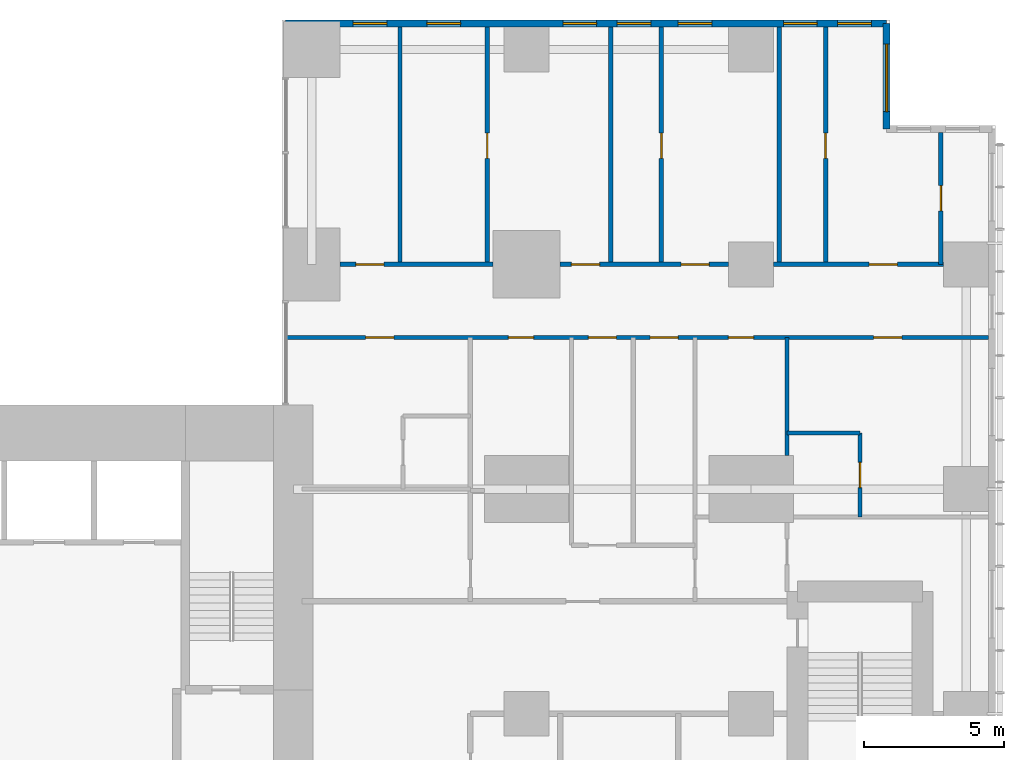
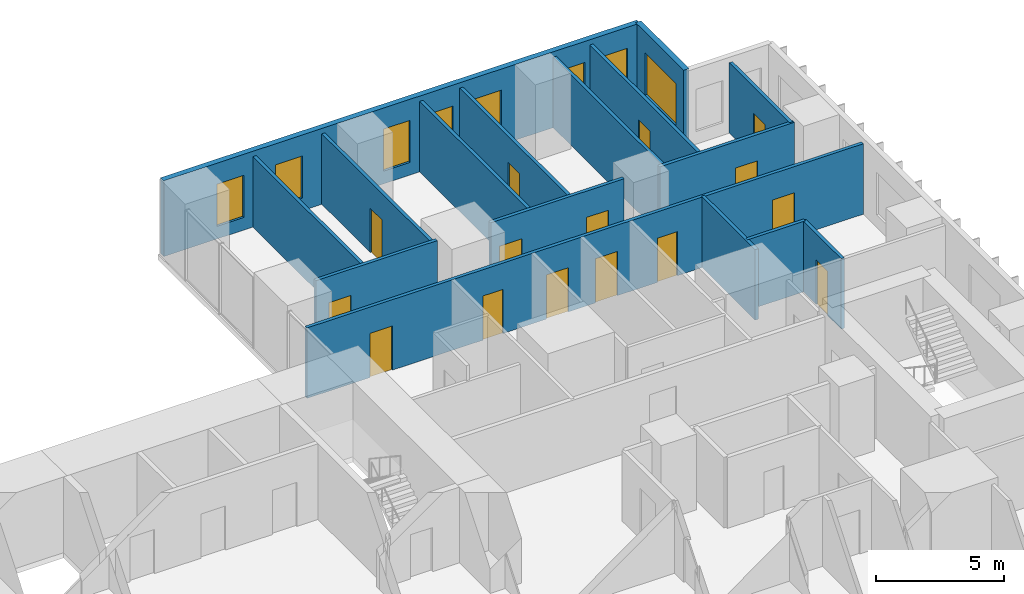
# One storey, part 10 of 12: 16 walls, 15 doors, 8 windows, 23 openings.
"""IFC4 building model written with IfcOpenShell, lengths in metres."""

from ifc_helpers import new_model, si_unit, direction, frame, frame_2d, origin, place, context, subcontext, project, spatial, rectangle, extrude, material, layer, layer_set, type_object, element, fill, save


model = new_model("IFC4")

# Units and contexts
model_context = context("Model", 3, precision=1e-05, world=origin(), true_north=direction((0.0, 1.0)))
body_context = subcontext(model_context, "Body", "Model", "MODEL_VIEW")
ifc_project = project(units=[si_unit("LENGTHUNIT", "METRE"), si_unit("AREAUNIT", "SQUARE_METRE"), si_unit("VOLUMEUNIT", "CUBIC_METRE"), si_unit("PLANEANGLEUNIT", "RADIAN"), si_unit("MASSUNIT", "GRAM", prefix="KILO")], contexts=[model_context])

# Site, building, storey
site_placement = place(None, origin())
site = spatial("IfcSite", under=ifc_project, at=site_placement, CompositionType="ELEMENT")
building_placement = place(site_placement, origin())
building = spatial("IfcBuilding", under=site, at=building_placement, Name="Cleftline Residences", CompositionType="ELEMENT")
storey_placement = place(building_placement, frame((0.0, 0.0, 237.60009765625)))
storey = spatial("IfcBuildingStorey", under=building, at=storey_placement, Name="L62", CompositionType="ELEMENT", Elevation=237.60009765625)

# Wall, opening, window
ifc_material_1 = material(Name="Rendered reinforced concrete blockwork", Category="masonry")
ifc_layer_1 = layer(ifc_material_1, 0.25)
ifc_layer_set_1 = layer_set([ifc_layer_1], Name="EXTERNAL WALL 250")
wall_type_1 = type_object("IfcWallType", Name="EXTERNAL WALL 250", PredefinedType="SOLIDWALL", material=ifc_layer_set_1)
wall_1_placement = place(storey_placement, frame((62.824951171875, 44.824951171875, 0.0), z_axis=(0.0, 0.0, 1.0), x_axis=(0.0, 1.0, 0.0)))
wall_1 = element("IfcWall", 1, at=wall_1_placement, inside=storey, type_object=wall_type_1, Name="External wall", PredefinedType="SOLIDWALL", context=body_context, shape_type="SweptSolid", body=[
    extrude(rectangle(XDim=3.75, YDim=0.25, at=frame_2d((1.875, 0.0))), origin(), (0.0, 0.0, 1.0), 3.599853515625),
])
opening_1_placement = place(wall_1_placement, frame((0.612548828125, 0.0, 0.60009765625)))
opening_1 = element("IfcOpeningElement", 2, at=opening_1_placement, cuts=wall_1, Name="Opening W6", PredefinedType="OPENING", context=body_context, shape_type="SweptSolid", body=[
    extrude(rectangle(XDim=2.39990234375, YDim=2.0, at=frame_2d((1.199951171875, 1.0))), frame((0.0, 0.135009765625, 0.0), z_axis=(0.0, -1.0, 0.0), x_axis=(1.0, 0.0, 0.0)), (0.0, 0.0, 1.0), 0.27001953125),
])
ifc_material_2 = material(Name="Aluminium frame, clear double glazing", Category="aluminium")
window_type_1 = type_object("IfcWindowType", Name="WINDOW 2400X2000", PartitioningType="DOUBLE_PANEL_VERTICAL", PredefinedType="WINDOW", material=ifc_material_2)
window_1_placement = place(opening_1_placement, origin())
window_1 = element("IfcWindow", 3, at=window_1_placement, inside=storey, type_object=window_type_1, Name="Window", OverallHeight=2.0, OverallWidth=2.39990234375, PartitioningType="SINGLE_PANEL", PredefinedType="WINDOW", context=body_context, shape_type="SweptSolid", body=[
    extrude(rectangle(XDim=2.39990234375, YDim=2.0, at=frame_2d((1.199951171875, 1.0))), frame((0.0, 0.030029296875, 0.0), z_axis=(0.0, -1.0, 0.0), x_axis=(1.0, 0.0, 0.0)), (0.0, 0.0, 1.0), 0.06005859375),
])
fill(opening_1, window_1)

# Wall, openings, windows
wall_2_placement = place(storey_placement, frame((62.824951171875, 48.574951171875, 0.0), z_axis=(0.0, 0.0, 1.0), x_axis=(-1.0, 0.0, 0.0)))
wall_2 = element("IfcWall", 4, at=wall_2_placement, inside=storey, type_object=wall_type_1, Name="External wall", PredefinedType="SOLIDWALL", context=body_context, shape_type="SweptSolid", body=[
    extrude(rectangle(XDim=21.39990234375, YDim=0.25, at=frame_2d((10.699951171875, 0.0))), origin(), (0.0, 0.0, 1.0), 3.599853515625),
])
opening_2_placement = place(wall_2_placement, frame((0.550048828125, 0.0, 0.60009765625)))
opening_2 = element("IfcOpeningElement", 5, at=opening_2_placement, cuts=wall_2, Name="Opening W8", PredefinedType="OPENING", context=body_context, shape_type="SweptSolid", body=[
    extrude(rectangle(XDim=1.199951171875, YDim=2.0, at=frame_2d((0.60009765625, 1.0))), frame((0.0, 0.135009765625, 0.0), z_axis=(0.0, -1.0, 0.0), x_axis=(1.0, 0.0, 0.0)), (0.0, 0.0, 1.0), 0.27001953125),
])
opening_3_placement = place(wall_2_placement, frame((2.47509765625, 0.0, 0.60009765625)))
opening_3 = element("IfcOpeningElement", 6, at=opening_3_placement, cuts=wall_2, Name="Opening W8", PredefinedType="OPENING", context=body_context, shape_type="SweptSolid", body=[
    extrude(rectangle(XDim=1.199951171875, YDim=2.0, at=frame_2d((0.60009765625, 1.0))), frame((0.0, 0.135009765625, 0.0), z_axis=(0.0, -1.0, 0.0), x_axis=(1.0, 0.0, 0.0)), (0.0, 0.0, 1.0), 0.27001953125),
])
opening_4_placement = place(wall_2_placement, frame((6.22509765625, 0.0, 0.60009765625)))
opening_4 = element("IfcOpeningElement", 7, at=opening_4_placement, cuts=wall_2, Name="Opening W8", PredefinedType="OPENING", context=body_context, shape_type="SweptSolid", body=[
    extrude(rectangle(XDim=1.199951171875, YDim=2.0, at=frame_2d((0.60009765625, 1.0))), frame((0.0, 0.135009765625, 0.0), z_axis=(0.0, -1.0, 0.0), x_axis=(1.0, 0.0, 0.0)), (0.0, 0.0, 1.0), 0.27001953125),
])
opening_5_placement = place(wall_2_placement, frame((8.39990234375, 0.0, 0.60009765625)))
opening_5 = element("IfcOpeningElement", 8, at=opening_5_placement, cuts=wall_2, Name="Opening W8", PredefinedType="OPENING", context=body_context, shape_type="SweptSolid", body=[
    extrude(rectangle(XDim=1.199951171875, YDim=2.0, at=frame_2d((0.60009765625, 1.0))), frame((0.0, 0.135009765625, 0.0), z_axis=(0.0, -1.0, 0.0), x_axis=(1.0, 0.0, 0.0)), (0.0, 0.0, 1.0), 0.27001953125),
])
opening_6_placement = place(wall_2_placement, frame((10.324951171875, 0.0, 0.60009765625)))
opening_6 = element("IfcOpeningElement", 9, at=opening_6_placement, cuts=wall_2, Name="Opening W8", PredefinedType="OPENING", context=body_context, shape_type="SweptSolid", body=[
    extrude(rectangle(XDim=1.199951171875, YDim=2.0, at=frame_2d((0.60009765625, 1.0))), frame((0.0, 0.135009765625, 0.0), z_axis=(0.0, -1.0, 0.0), x_axis=(1.0, 0.0, 0.0)), (0.0, 0.0, 1.0), 0.27001953125),
])
opening_7_placement = place(wall_2_placement, frame((15.175048828125, 0.0, 0.60009765625)))
opening_7 = element("IfcOpeningElement", 10, at=opening_7_placement, cuts=wall_2, Name="Opening W8", PredefinedType="OPENING", context=body_context, shape_type="SweptSolid", body=[
    extrude(rectangle(XDim=1.199951171875, YDim=2.0, at=frame_2d((0.60009765625, 1.0))), frame((0.0, 0.135009765625, 0.0), z_axis=(0.0, -1.0, 0.0), x_axis=(1.0, 0.0, 0.0)), (0.0, 0.0, 1.0), 0.27001953125),
])
opening_8_placement = place(wall_2_placement, frame((17.800048828125, 0.0, 0.60009765625)))
opening_8 = element("IfcOpeningElement", 11, at=opening_8_placement, cuts=wall_2, Name="Opening W8", PredefinedType="OPENING", context=body_context, shape_type="SweptSolid", body=[
    extrude(rectangle(XDim=1.199951171875, YDim=2.0, at=frame_2d((0.60009765625, 1.0))), frame((0.0, 0.135009765625, 0.0), z_axis=(0.0, -1.0, 0.0), x_axis=(1.0, 0.0, 0.0)), (0.0, 0.0, 1.0), 0.27001953125),
])
ifc_material_3 = material(Name="Aluminium frame, clear double glazing", Category="aluminium")
window_type_2 = type_object("IfcWindowType", Name="WINDOW 1200X2000", PartitioningType="DOUBLE_PANEL_VERTICAL", PredefinedType="WINDOW", material=ifc_material_3)
window_2_placement = place(opening_2_placement, origin())
window_2 = element("IfcWindow", 12, at=window_2_placement, inside=storey, type_object=window_type_2, Name="Window", OverallHeight=2.0, OverallWidth=1.199951171875, PartitioningType="SINGLE_PANEL", PredefinedType="WINDOW", context=body_context, shape_type="SweptSolid", body=[
    extrude(rectangle(XDim=1.199951171875, YDim=2.0, at=frame_2d((0.60009765625, 1.0))), frame((0.0, 0.030029296875, 0.0), z_axis=(0.0, -1.0, 0.0), x_axis=(1.0, 0.0, 0.0)), (0.0, 0.0, 1.0), 0.06005859375),
])
fill(opening_2, window_2)
window_3_placement = place(opening_3_placement, origin())
window_3 = element("IfcWindow", 13, at=window_3_placement, inside=storey, type_object=window_type_2, Name="Window", OverallHeight=2.0, OverallWidth=1.199951171875, PartitioningType="SINGLE_PANEL", PredefinedType="WINDOW", context=body_context, shape_type="SweptSolid", body=[
    extrude(rectangle(XDim=1.199951171875, YDim=2.0, at=frame_2d((0.60009765625, 1.0))), frame((0.0, 0.030029296875, 0.0), z_axis=(0.0, -1.0, 0.0), x_axis=(1.0, 0.0, 0.0)), (0.0, 0.0, 1.0), 0.06005859375),
])
fill(opening_3, window_3)
window_4_placement = place(opening_4_placement, origin())
window_4 = element("IfcWindow", 14, at=window_4_placement, inside=storey, type_object=window_type_2, Name="Window", OverallHeight=2.0, OverallWidth=1.199951171875, PartitioningType="SINGLE_PANEL", PredefinedType="WINDOW", context=body_context, shape_type="SweptSolid", body=[
    extrude(rectangle(XDim=1.199951171875, YDim=2.0, at=frame_2d((0.60009765625, 1.0))), frame((0.0, 0.030029296875, 0.0), z_axis=(0.0, -1.0, 0.0), x_axis=(1.0, 0.0, 0.0)), (0.0, 0.0, 1.0), 0.06005859375),
])
fill(opening_4, window_4)
window_5_placement = place(opening_5_placement, origin())
window_5 = element("IfcWindow", 15, at=window_5_placement, inside=storey, type_object=window_type_2, Name="Window", OverallHeight=2.0, OverallWidth=1.199951171875, PartitioningType="SINGLE_PANEL", PredefinedType="WINDOW", context=body_context, shape_type="SweptSolid", body=[
    extrude(rectangle(XDim=1.199951171875, YDim=2.0, at=frame_2d((0.60009765625, 1.0))), frame((0.0, 0.030029296875, 0.0), z_axis=(0.0, -1.0, 0.0), x_axis=(1.0, 0.0, 0.0)), (0.0, 0.0, 1.0), 0.06005859375),
])
fill(opening_5, window_5)
window_6_placement = place(opening_6_placement, origin())
window_6 = element("IfcWindow", 16, at=window_6_placement, inside=storey, type_object=window_type_2, Name="Window", OverallHeight=2.0, OverallWidth=1.199951171875, PartitioningType="SINGLE_PANEL", PredefinedType="WINDOW", context=body_context, shape_type="SweptSolid", body=[
    extrude(rectangle(XDim=1.199951171875, YDim=2.0, at=frame_2d((0.60009765625, 1.0))), frame((0.0, 0.030029296875, 0.0), z_axis=(0.0, -1.0, 0.0), x_axis=(1.0, 0.0, 0.0)), (0.0, 0.0, 1.0), 0.06005859375),
])
fill(opening_6, window_6)
window_7_placement = place(opening_7_placement, origin())
window_7 = element("IfcWindow", 17, at=window_7_placement, inside=storey, type_object=window_type_2, Name="Window", OverallHeight=2.0, OverallWidth=1.199951171875, PartitioningType="SINGLE_PANEL", PredefinedType="WINDOW", context=body_context, shape_type="SweptSolid", body=[
    extrude(rectangle(XDim=1.199951171875, YDim=2.0, at=frame_2d((0.60009765625, 1.0))), frame((0.0, 0.030029296875, 0.0), z_axis=(0.0, -1.0, 0.0), x_axis=(1.0, 0.0, 0.0)), (0.0, 0.0, 1.0), 0.06005859375),
])
fill(opening_7, window_7)
window_8_placement = place(opening_8_placement, origin())
window_8 = element("IfcWindow", 18, at=window_8_placement, inside=storey, type_object=window_type_2, Name="Window", OverallHeight=2.0, OverallWidth=1.199951171875, PartitioningType="SINGLE_PANEL", PredefinedType="WINDOW", context=body_context, shape_type="SweptSolid", body=[
    extrude(rectangle(XDim=1.199951171875, YDim=2.0, at=frame_2d((0.60009765625, 1.0))), frame((0.0, 0.030029296875, 0.0), z_axis=(0.0, -1.0, 0.0), x_axis=(1.0, 0.0, 0.0)), (0.0, 0.0, 1.0), 0.06005859375),
])
fill(opening_8, window_8)

# Wall
ifc_material_4 = material(Name="Gypsum board on steel studs", Category="steel")
ifc_layer_2 = layer(ifc_material_4, 0.14990234375)
ifc_layer_set_2 = layer_set([ifc_layer_2], Name="PARTITION 150")
wall_type_2 = type_object("IfcWallType", Name="PARTITION 150", PredefinedType="PARTITIONING", material=ifc_layer_set_2)
wall_3_placement = place(storey_placement, frame((59.27490234375, 34.0, 0.0), z_axis=(0.0, 0.0, 1.0), x_axis=(1.0, 0.0, 0.0)))
element("IfcWall", 19, at=wall_3_placement, inside=storey, type_object=wall_type_2, Name="Partition", PredefinedType="PARTITIONING", context=body_context, shape_type="SweptSolid", body=[
    extrude(rectangle(XDim=2.60009765625, YDim=0.14990234375, at=frame_2d((1.300048828125, 0.0))), origin(), (0.0, 0.0, 1.0), 3.349853515625),
])

# Wall, openings, doors
wall_4_placement = place(storey_placement, frame((41.43896484375, 37.39990234375, 0.0), z_axis=(0.0, 0.0, 1.0), x_axis=(1.0, 0.0, 0.0)))
wall_4 = element("IfcWall", 20, at=wall_4_placement, inside=storey, type_object=wall_type_2, Name="Partition", PredefinedType="PARTITIONING", context=body_context, shape_type="SweptSolid", body=[
    extrude(rectangle(XDim=25.010986328125, YDim=0.14990234375, at=frame_2d((12.50537109375, 0.0))), origin(), (0.0, 0.0, 1.0), 3.349853515625),
])
opening_9_placement = place(wall_4_placement, frame((10.760986328125, 0.0, 0.0)))
opening_9 = element("IfcOpeningElement", 21, at=opening_9_placement, cuts=wall_4, Name="Opening D2", PredefinedType="OPENING", context=body_context, shape_type="SweptSolid", body=[
    extrude(rectangle(XDim=1.0, YDim=2.10009765625, at=frame_2d((0.5, 1.050048828125))), frame((0.0, 0.0849609375, 0.0), z_axis=(0.0, -1.0, 0.0), x_axis=(1.0, 0.0, 0.0)), (0.0, 0.0, 1.0), 0.169921875),
])
opening_10_placement = place(wall_4_placement, frame((20.923583984375, 0.0, 0.0)))
opening_10 = element("IfcOpeningElement", 22, at=opening_10_placement, cuts=wall_4, Name="Opening D2", PredefinedType="OPENING", context=body_context, shape_type="SweptSolid", body=[
    extrude(rectangle(XDim=1.0, YDim=2.10009765625, at=frame_2d((0.5, 1.050048828125))), frame((0.0, 0.0849609375, 0.0), z_axis=(0.0, -1.0, 0.0), x_axis=(1.0, 0.0, 0.0)), (0.0, 0.0, 1.0), 0.169921875),
])
opening_11_placement = place(wall_4_placement, frame((15.74853515625, 0.0, 0.0)))
opening_11 = element("IfcOpeningElement", 23, at=opening_11_placement, cuts=wall_4, Name="Opening D1", PredefinedType="OPENING", context=body_context, shape_type="SweptSolid", body=[
    extrude(rectangle(XDim=0.89990234375, YDim=2.10009765625, at=frame_2d((0.449951171875, 1.050048828125))), frame((0.0, 0.0849609375, 0.0), z_axis=(0.0, -1.0, 0.0), x_axis=(1.0, 0.0, 0.0)), (0.0, 0.0, 1.0), 0.169921875),
])
opening_12_placement = place(wall_4_placement, frame((12.9609375, 0.0, 0.0)))
opening_12 = element("IfcOpeningElement", 24, at=opening_12_placement, cuts=wall_4, Name="Opening D2", PredefinedType="OPENING", context=body_context, shape_type="SweptSolid", body=[
    extrude(rectangle(XDim=1.0, YDim=2.10009765625, at=frame_2d((0.5, 1.050048828125))), frame((0.0, 0.0849609375, 0.0), z_axis=(0.0, -1.0, 0.0), x_axis=(1.0, 0.0, 0.0)), (0.0, 0.0, 1.0), 0.169921875),
])
opening_13_placement = place(wall_4_placement, frame((7.910888671875, 0.0, 0.0)))
opening_13 = element("IfcOpeningElement", 25, at=opening_13_placement, cuts=wall_4, Name="Opening D1", PredefinedType="OPENING", context=body_context, shape_type="SweptSolid", body=[
    extrude(rectangle(XDim=0.89990234375, YDim=2.10009765625, at=frame_2d((0.449951171875, 1.050048828125))), frame((0.0, 0.0849609375, 0.0), z_axis=(0.0, -1.0, 0.0), x_axis=(1.0, 0.0, 0.0)), (0.0, 0.0, 1.0), 0.169921875),
])
opening_14_placement = place(wall_4_placement, frame((2.8359375, 0.0, 0.0)))
opening_14 = element("IfcOpeningElement", 26, at=opening_14_placement, cuts=wall_4, Name="Opening D2", PredefinedType="OPENING", context=body_context, shape_type="SweptSolid", body=[
    extrude(rectangle(XDim=1.0, YDim=2.10009765625, at=frame_2d((0.5, 1.050048828125))), frame((0.0, 0.0849609375, 0.0), z_axis=(0.0, -1.0, 0.0), x_axis=(1.0, 0.0, 0.0)), (0.0, 0.0, 1.0), 0.169921875),
])
ifc_material_5 = material(Name="Timber veneer on solid core", Category="wood")
door_type_1 = type_object("IfcDoorType", Name="DOOR 1000X2100", OperationType="SINGLE_SWING_LEFT", PredefinedType="DOOR", material=ifc_material_5)
door_1_placement = place(opening_9_placement, origin())
door_1 = element("IfcDoor", 27, at=door_1_placement, inside=storey, type_object=door_type_1, Name="Door to residence hall", OperationType="SINGLE_SWING_RIGHT", OverallHeight=2.10009765625, OverallWidth=1.0, PredefinedType="DOOR", context=body_context, shape_type="SweptSolid", body=[
    extrude(rectangle(XDim=1.0, YDim=2.10009765625, at=frame_2d((0.5, 1.050048828125))), frame((0.0, 0.02490234375, 0.0), z_axis=(0.0, -1.0, 0.0), x_axis=(1.0, 0.0, 0.0)), (0.0, 0.0, 1.0), 0.050048828125),
])
fill(opening_9, door_1)
door_2_placement = place(opening_10_placement, origin())
door_2 = element("IfcDoor", 28, at=door_2_placement, inside=storey, type_object=door_type_1, Name="Door to master bedroom", OperationType="SINGLE_SWING_LEFT", OverallHeight=2.10009765625, OverallWidth=1.0, PredefinedType="DOOR", context=body_context, shape_type="SweptSolid", body=[
    extrude(rectangle(XDim=1.0, YDim=2.10009765625, at=frame_2d((0.5, 1.050048828125))), frame((0.0, 0.02490234375, 0.0), z_axis=(0.0, -1.0, 0.0), x_axis=(1.0, 0.0, 0.0)), (0.0, 0.0, 1.0), 0.050048828125),
])
fill(opening_10, door_2)
door_3_placement = place(opening_12_placement, origin())
door_3 = element("IfcDoor", 29, at=door_3_placement, inside=storey, type_object=door_type_1, Name="Door to media room", OperationType="SINGLE_SWING_LEFT", OverallHeight=2.10009765625, OverallWidth=1.0, PredefinedType="DOOR", context=body_context, shape_type="SweptSolid", body=[
    extrude(rectangle(XDim=1.0, YDim=2.10009765625, at=frame_2d((0.5, 1.050048828125))), frame((0.0, 0.02490234375, 0.0), z_axis=(0.0, -1.0, 0.0), x_axis=(1.0, 0.0, 0.0)), (0.0, 0.0, 1.0), 0.050048828125),
])
fill(opening_12, door_3)
door_4_placement = place(opening_14_placement, origin())
door_4 = element("IfcDoor", 30, at=door_4_placement, inside=storey, type_object=door_type_1, Name="Door to bedroom 5", OperationType="SINGLE_SWING_RIGHT", OverallHeight=2.10009765625, OverallWidth=1.0, PredefinedType="DOOR", context=body_context, shape_type="SweptSolid", body=[
    extrude(rectangle(XDim=1.0, YDim=2.10009765625, at=frame_2d((0.5, 1.050048828125))), frame((0.0, 0.02490234375, 0.0), z_axis=(0.0, -1.0, 0.0), x_axis=(1.0, 0.0, 0.0)), (0.0, 0.0, 1.0), 0.050048828125),
])
fill(opening_14, door_4)
ifc_material_6 = material(Name="Timber veneer on solid core", Category="wood")
door_type_2 = type_object("IfcDoorType", Name="DOOR 900X2100", OperationType="SINGLE_SWING_LEFT", PredefinedType="DOOR", material=ifc_material_6)
door_5_placement = place(opening_11_placement, origin())
door_5 = element("IfcDoor", 31, at=door_5_placement, inside=storey, type_object=door_type_2, Name="Door to bedroom 2 bathroom", OperationType="SINGLE_SWING_LEFT", OverallHeight=2.10009765625, OverallWidth=0.89990234375, PredefinedType="DOOR", context=body_context, shape_type="SweptSolid", body=[
    extrude(rectangle(XDim=0.89990234375, YDim=2.10009765625, at=frame_2d((0.449951171875, 1.050048828125))), frame((0.0, 0.02490234375, 0.0), z_axis=(0.0, -1.0, 0.0), x_axis=(1.0, 0.0, 0.0)), (0.0, 0.0, 1.0), 0.050048828125),
])
fill(opening_11, door_5)
door_6_placement = place(opening_13_placement, origin())
door_6 = element("IfcDoor", 32, at=door_6_placement, inside=storey, type_object=door_type_2, Name="Door to linen store", OperationType="SINGLE_SWING_RIGHT", OverallHeight=2.10009765625, OverallWidth=0.89990234375, PredefinedType="DOOR", context=body_context, shape_type="SweptSolid", body=[
    extrude(rectangle(XDim=0.89990234375, YDim=2.10009765625, at=frame_2d((0.449951171875, 1.050048828125))), frame((0.0, 0.02490234375, 0.0), z_axis=(0.0, -1.0, 0.0), x_axis=(1.0, 0.0, 0.0)), (0.0, 0.0, 1.0), 0.050048828125),
])
fill(opening_13, door_6)

# Wall, opening, door
wall_5_placement = place(storey_placement, frame((43.35009765625, 40.0, 0.0), z_axis=(0.0, 0.0, 1.0), x_axis=(1.0, 0.0, 0.0)))
wall_5 = element("IfcWall", 33, at=wall_5_placement, inside=storey, type_object=wall_type_2, Name="Partition", PredefinedType="PARTITIONING", context=body_context, shape_type="SweptSolid", body=[
    extrude(rectangle(XDim=5.449951171875, YDim=0.14990234375, at=frame_2d((2.72509765625, 0.0))), origin(), (0.0, 0.0, 1.0), 3.349853515625),
])
opening_15_placement = place(wall_5_placement, frame((0.574951171875, 0.0, 0.0)))
opening_15 = element("IfcOpeningElement", 34, at=opening_15_placement, cuts=wall_5, Name="Opening D2", PredefinedType="OPENING", context=body_context, shape_type="SweptSolid", body=[
    extrude(rectangle(XDim=1.0, YDim=2.10009765625, at=frame_2d((0.5, 1.050048828125))), frame((0.0, 0.0849609375, 0.0), z_axis=(0.0, -1.0, 0.0), x_axis=(1.0, 0.0, 0.0)), (0.0, 0.0, 1.0), 0.169921875),
])
door_7_placement = place(opening_15_placement, origin())
door_7 = element("IfcDoor", 35, at=door_7_placement, inside=storey, type_object=door_type_1, Name="Door to family room", OperationType="SINGLE_SWING_RIGHT", OverallHeight=2.10009765625, OverallWidth=1.0, PredefinedType="DOOR", context=body_context, shape_type="SweptSolid", body=[
    extrude(rectangle(XDim=1.0, YDim=2.10009765625, at=frame_2d((0.5, 1.050048828125))), frame((0.0, 0.02490234375, 0.0), z_axis=(0.0, -1.0, 0.0), x_axis=(1.0, 0.0, 0.0)), (0.0, 0.0, 1.0), 0.050048828125),
])
fill(opening_15, door_7)

# Wall, openings, doors
wall_6_placement = place(storey_placement, frame((51.199951171875, 40.0, 0.0), z_axis=(0.0, 0.0, 1.0), x_axis=(1.0, 0.0, 0.0)))
wall_6 = element("IfcWall", 36, at=wall_6_placement, inside=storey, type_object=wall_type_2, Name="Partition", PredefinedType="PARTITIONING", context=body_context, shape_type="SweptSolid", body=[
    extrude(rectangle(XDim=6.0, YDim=0.14990234375, at=frame_2d((3.0, 0.0))), origin(), (0.0, 0.0, 1.0), 3.349853515625),
])
opening_16_placement = place(wall_6_placement, frame((4.300048828125, 0.0, 0.0)))
opening_16 = element("IfcOpeningElement", 37, at=opening_16_placement, cuts=wall_6, Name="Opening D2", PredefinedType="OPENING", context=body_context, shape_type="SweptSolid", body=[
    extrude(rectangle(XDim=1.0, YDim=2.10009765625, at=frame_2d((0.5, 1.050048828125))), frame((0.0, 0.0849609375, 0.0), z_axis=(0.0, -1.0, 0.0), x_axis=(1.0, 0.0, 0.0)), (0.0, 0.0, 1.0), 0.169921875),
])
opening_17_placement = place(wall_6_placement, frame((0.39990234375, 0.0, 0.0)))
opening_17 = element("IfcOpeningElement", 38, at=opening_17_placement, cuts=wall_6, Name="Opening D2", PredefinedType="OPENING", context=body_context, shape_type="SweptSolid", body=[
    extrude(rectangle(XDim=1.0, YDim=2.10009765625, at=frame_2d((0.5, 1.050048828125))), frame((0.0, 0.0849609375, 0.0), z_axis=(0.0, -1.0, 0.0), x_axis=(1.0, 0.0, 0.0)), (0.0, 0.0, 1.0), 0.169921875),
])
door_8_placement = place(opening_16_placement, origin())
door_8 = element("IfcDoor", 39, at=door_8_placement, inside=storey, type_object=door_type_1, Name="Door to bedroom 3", OperationType="SINGLE_SWING_LEFT", OverallHeight=2.10009765625, OverallWidth=1.0, PredefinedType="DOOR", context=body_context, shape_type="SweptSolid", body=[
    extrude(rectangle(XDim=1.0, YDim=2.10009765625, at=frame_2d((0.5, 1.050048828125))), frame((0.0, 0.02490234375, 0.0), z_axis=(0.0, -1.0, 0.0), x_axis=(1.0, 0.0, 0.0)), (0.0, 0.0, 1.0), 0.050048828125),
])
fill(opening_16, door_8)
door_9_placement = place(opening_17_placement, origin())
door_9 = element("IfcDoor", 40, at=door_9_placement, inside=storey, type_object=door_type_1, Name="Door to bedroom 4", OperationType="SINGLE_SWING_RIGHT", OverallHeight=2.10009765625, OverallWidth=1.0, PredefinedType="DOOR", context=body_context, shape_type="SweptSolid", body=[
    extrude(rectangle(XDim=1.0, YDim=2.10009765625, at=frame_2d((0.5, 1.050048828125))), frame((0.0, 0.02490234375, 0.0), z_axis=(0.0, -1.0, 0.0), x_axis=(1.0, 0.0, 0.0)), (0.0, 0.0, 1.0), 0.050048828125),
])
fill(opening_17, door_9)

# Wall, opening, door
wall_7_placement = place(storey_placement, frame((58.800048828125, 40.0, 0.0), z_axis=(0.0, 0.0, 1.0), x_axis=(1.0, 0.0, 0.0)))
wall_7 = element("IfcWall", 41, at=wall_7_placement, inside=storey, type_object=wall_type_2, Name="Partition", PredefinedType="PARTITIONING", context=body_context, shape_type="SweptSolid", body=[
    extrude(rectangle(XDim=6.050048828125, YDim=0.14990234375, at=frame_2d((3.02490234375, 0.0))), origin(), (0.0, 0.0, 1.0), 3.349853515625),
])
opening_18_placement = place(wall_7_placement, frame((3.39990234375, 0.0, 0.0)))
opening_18 = element("IfcOpeningElement", 42, at=opening_18_placement, cuts=wall_7, Name="Opening D2", PredefinedType="OPENING", context=body_context, shape_type="SweptSolid", body=[
    extrude(rectangle(XDim=1.0, YDim=2.10009765625, at=frame_2d((0.5, 1.050048828125))), frame((0.0, 0.0849609375, 0.0), z_axis=(0.0, -1.0, 0.0), x_axis=(1.0, 0.0, 0.0)), (0.0, 0.0, 1.0), 0.169921875),
])
door_10_placement = place(opening_18_placement, origin())
door_10 = element("IfcDoor", 43, at=door_10_placement, inside=storey, type_object=door_type_1, Name="Door to bedroom 2", OperationType="SINGLE_SWING_LEFT", OverallHeight=2.10009765625, OverallWidth=1.0, PredefinedType="DOOR", context=body_context, shape_type="SweptSolid", body=[
    extrude(rectangle(XDim=1.0, YDim=2.10009765625, at=frame_2d((0.5, 1.050048828125))), frame((0.0, 0.02490234375, 0.0), z_axis=(0.0, -1.0, 0.0), x_axis=(1.0, 0.0, 0.0)), (0.0, 0.0, 1.0), 0.050048828125),
])
fill(opening_18, door_10)

# Wall
wall_8_placement = place(storey_placement, frame((45.5, 40.0, 0.0), z_axis=(0.0, 0.0, 1.0), x_axis=(0.0, 1.0, 0.0)))
element("IfcWall", 44, at=wall_8_placement, inside=storey, type_object=wall_type_2, Name="Partition", PredefinedType="PARTITIONING", context=body_context, shape_type="SweptSolid", body=[
    extrude(rectangle(XDim=8.449951171875, YDim=0.14990234375, at=frame_2d((4.22509765625, 0.0))), origin(), (0.0, 0.0, 1.0), 3.349853515625),
])

# Wall, opening, door
wall_9_placement = place(storey_placement, frame((48.60009765625, 40.0, 0.0), z_axis=(0.0, 0.0, 1.0), x_axis=(0.0, 1.0, 0.0)))
wall_9 = element("IfcWall", 45, at=wall_9_placement, inside=storey, type_object=wall_type_2, Name="Partition", PredefinedType="PARTITIONING", context=body_context, shape_type="SweptSolid", body=[
    extrude(rectangle(XDim=8.449951171875, YDim=0.14990234375, at=frame_2d((4.22509765625, 0.0))), origin(), (0.0, 0.0, 1.0), 3.349853515625),
])
opening_19_placement = place(wall_9_placement, frame((3.77490234375, 0.0, 0.0)))
opening_19 = element("IfcOpeningElement", 46, at=opening_19_placement, cuts=wall_9, Name="Opening D1", PredefinedType="OPENING", context=body_context, shape_type="SweptSolid", body=[
    extrude(rectangle(XDim=0.89990234375, YDim=2.10009765625, at=frame_2d((0.449951171875, 1.050048828125))), frame((0.0, 0.0849609375, 0.0), z_axis=(0.0, -1.0, 0.0), x_axis=(1.0, 0.0, 0.0)), (0.0, 0.0, 1.0), 0.169921875),
])
door_11_placement = place(opening_19_placement, origin())
door_11 = element("IfcDoor", 47, at=door_11_placement, inside=storey, type_object=door_type_2, Name="Door to en-suite bathroom 4", OperationType="SINGLE_SWING_LEFT", OverallHeight=2.10009765625, OverallWidth=0.89990234375, PredefinedType="DOOR", context=body_context, shape_type="SweptSolid", body=[
    extrude(rectangle(XDim=0.89990234375, YDim=2.10009765625, at=frame_2d((0.449951171875, 1.050048828125))), frame((0.0, 0.02490234375, 0.0), z_axis=(0.0, -1.0, 0.0), x_axis=(1.0, 0.0, 0.0)), (0.0, 0.0, 1.0), 0.050048828125),
])
fill(opening_19, door_11)

# Wall
wall_10_placement = place(storey_placement, frame((53.0, 40.0, 0.0), z_axis=(0.0, 0.0, 1.0), x_axis=(0.0, 1.0, 0.0)))
element("IfcWall", 48, at=wall_10_placement, inside=storey, type_object=wall_type_2, Name="Partition", PredefinedType="PARTITIONING", context=body_context, shape_type="SweptSolid", body=[
    extrude(rectangle(XDim=8.449951171875, YDim=0.14990234375, at=frame_2d((4.22509765625, 0.0))), origin(), (0.0, 0.0, 1.0), 3.349853515625),
])

# Wall, opening, door
wall_11_placement = place(storey_placement, frame((54.800048828125, 40.0, 0.0), z_axis=(0.0, 0.0, 1.0), x_axis=(0.0, 1.0, 0.0)))
wall_11 = element("IfcWall", 49, at=wall_11_placement, inside=storey, type_object=wall_type_2, Name="Partition", PredefinedType="PARTITIONING", context=body_context, shape_type="SweptSolid", body=[
    extrude(rectangle(XDim=8.449951171875, YDim=0.14990234375, at=frame_2d((4.22509765625, 0.0))), origin(), (0.0, 0.0, 1.0), 3.349853515625),
])
opening_20_placement = place(wall_11_placement, frame((3.77490234375, 0.0, 0.0)))
opening_20 = element("IfcOpeningElement", 50, at=opening_20_placement, cuts=wall_11, Name="Opening D1", PredefinedType="OPENING", context=body_context, shape_type="SweptSolid", body=[
    extrude(rectangle(XDim=0.89990234375, YDim=2.10009765625, at=frame_2d((0.449951171875, 1.050048828125))), frame((0.0, 0.0849609375, 0.0), z_axis=(0.0, -1.0, 0.0), x_axis=(1.0, 0.0, 0.0)), (0.0, 0.0, 1.0), 0.169921875),
])
door_12_placement = place(opening_20_placement, origin())
door_12 = element("IfcDoor", 51, at=door_12_placement, inside=storey, type_object=door_type_2, Name="Door to en-suite bathroom 3", OperationType="SINGLE_SWING_LEFT", OverallHeight=2.10009765625, OverallWidth=0.89990234375, PredefinedType="DOOR", context=body_context, shape_type="SweptSolid", body=[
    extrude(rectangle(XDim=0.89990234375, YDim=2.10009765625, at=frame_2d((0.449951171875, 1.050048828125))), frame((0.0, 0.02490234375, 0.0), z_axis=(0.0, -1.0, 0.0), x_axis=(1.0, 0.0, 0.0)), (0.0, 0.0, 1.0), 0.050048828125),
])
fill(opening_20, door_12)

# Walls
wall_12_placement = place(storey_placement, frame((59.0, 40.0, 0.0), z_axis=(0.0, 0.0, 1.0), x_axis=(0.0, 1.0, 0.0)))
element("IfcWall", 52, at=wall_12_placement, inside=storey, type_object=wall_type_2, Name="Partition", PredefinedType="PARTITIONING", context=body_context, shape_type="SweptSolid", body=[
    extrude(rectangle(XDim=8.449951171875, YDim=0.14990234375, at=frame_2d((4.22509765625, 0.0))), origin(), (0.0, 0.0, 1.0), 3.349853515625),
])
wall_13_placement = place(storey_placement, frame((59.27490234375, 33.199951171875, 0.0), z_axis=(0.0, 0.0, 1.0), x_axis=(0.0, 1.0, 0.0)))
element("IfcWall", 53, at=wall_13_placement, inside=storey, type_object=wall_type_2, Name="Partition", PredefinedType="PARTITIONING", context=body_context, shape_type="SweptSolid", body=[
    extrude(rectangle(XDim=4.199951171875, YDim=0.14990234375, at=frame_2d((2.10009765625, 0.0))), origin(), (0.0, 0.0, 1.0), 3.349853515625),
])

# Wall, opening, door
wall_14_placement = place(storey_placement, frame((60.64990234375, 40.0, 0.0), z_axis=(0.0, 0.0, 1.0), x_axis=(0.0, 1.0, 0.0)))
wall_14 = element("IfcWall", 54, at=wall_14_placement, inside=storey, type_object=wall_type_2, Name="Partition", PredefinedType="PARTITIONING", context=body_context, shape_type="SweptSolid", body=[
    extrude(rectangle(XDim=8.449951171875, YDim=0.14990234375, at=frame_2d((4.22509765625, 0.0))), origin(), (0.0, 0.0, 1.0), 3.349853515625),
])
opening_21_placement = place(wall_14_placement, frame((3.77490234375, 0.0, 0.0)))
opening_21 = element("IfcOpeningElement", 55, at=opening_21_placement, cuts=wall_14, Name="Opening D1", PredefinedType="OPENING", context=body_context, shape_type="SweptSolid", body=[
    extrude(rectangle(XDim=0.89990234375, YDim=2.10009765625, at=frame_2d((0.449951171875, 1.050048828125))), frame((0.0, 0.0849609375, 0.0), z_axis=(0.0, -1.0, 0.0), x_axis=(1.0, 0.0, 0.0)), (0.0, 0.0, 1.0), 0.169921875),
])
door_13_placement = place(opening_21_placement, origin())
door_13 = element("IfcDoor", 56, at=door_13_placement, inside=storey, type_object=door_type_2, Name="Door to walk-in wardrobe", OperationType="SINGLE_SWING_LEFT", OverallHeight=2.10009765625, OverallWidth=0.89990234375, PredefinedType="DOOR", context=body_context, shape_type="SweptSolid", body=[
    extrude(rectangle(XDim=0.89990234375, YDim=2.10009765625, at=frame_2d((0.449951171875, 1.050048828125))), frame((0.0, 0.02490234375, 0.0), z_axis=(0.0, -1.0, 0.0), x_axis=(1.0, 0.0, 0.0)), (0.0, 0.0, 1.0), 0.050048828125),
])
fill(opening_21, door_13)

wall_15_placement = place(storey_placement, frame((61.875, 31.0, 0.0), z_axis=(0.0, 0.0, 1.0), x_axis=(0.0, 1.0, 0.0)))
wall_15 = element("IfcWall", 57, at=wall_15_placement, inside=storey, type_object=wall_type_2, Name="Partition", PredefinedType="PARTITIONING", context=body_context, shape_type="SweptSolid", body=[
    extrude(rectangle(XDim=3.0, YDim=0.14990234375, at=frame_2d((1.5, 0.0))), origin(), (0.0, 0.0, 1.0), 3.349853515625),
])
opening_22_placement = place(wall_15_placement, frame((1.050048828125, 0.0, 0.0)))
opening_22 = element("IfcOpeningElement", 58, at=opening_22_placement, cuts=wall_15, Name="Opening D1", PredefinedType="OPENING", context=body_context, shape_type="SweptSolid", body=[
    extrude(rectangle(XDim=0.89990234375, YDim=2.10009765625, at=frame_2d((0.449951171875, 1.050048828125))), frame((0.0, 0.0849609375, 0.0), z_axis=(0.0, -1.0, 0.0), x_axis=(1.0, 0.0, 0.0)), (0.0, 0.0, 1.0), 0.169921875),
])
door_14_placement = place(opening_22_placement, origin())
door_14 = element("IfcDoor", 59, at=door_14_placement, inside=storey, type_object=door_type_2, Name="Door to master bathroom", OperationType="SINGLE_SWING_LEFT", OverallHeight=2.10009765625, OverallWidth=0.89990234375, PredefinedType="DOOR", context=body_context, shape_type="SweptSolid", body=[
    extrude(rectangle(XDim=0.89990234375, YDim=2.10009765625, at=frame_2d((0.449951171875, 1.050048828125))), frame((0.0, 0.02490234375, 0.0), z_axis=(0.0, -1.0, 0.0), x_axis=(1.0, 0.0, 0.0)), (0.0, 0.0, 1.0), 0.050048828125),
])
fill(opening_22, door_14)

wall_16_placement = place(storey_placement, frame((64.75, 40.0, 0.0), z_axis=(0.0, 0.0, 1.0), x_axis=(0.0, 1.0, 0.0)))
wall_16 = element("IfcWall", 60, at=wall_16_placement, inside=storey, type_object=wall_type_2, Name="Partition", PredefinedType="PARTITIONING", context=body_context, shape_type="SweptSolid", body=[
    extrude(rectangle(XDim=4.699951171875, YDim=0.14990234375, at=frame_2d((2.35009765625, 0.0))), origin(), (0.0, 0.0, 1.0), 3.349853515625),
])
opening_23_placement = place(wall_16_placement, frame((1.89990234375, 0.0, 0.0)))
opening_23 = element("IfcOpeningElement", 61, at=opening_23_placement, cuts=wall_16, Name="Opening D1", PredefinedType="OPENING", context=body_context, shape_type="SweptSolid", body=[
    extrude(rectangle(XDim=0.89990234375, YDim=2.10009765625, at=frame_2d((0.449951171875, 1.050048828125))), frame((0.0, 0.0849609375, 0.0), z_axis=(0.0, -1.0, 0.0), x_axis=(1.0, 0.0, 0.0)), (0.0, 0.0, 1.0), 0.169921875),
])
door_15_placement = place(opening_23_placement, origin())
door_15 = element("IfcDoor", 62, at=door_15_placement, inside=storey, type_object=door_type_2, Name="Door to music room", OperationType="SINGLE_SWING_LEFT", OverallHeight=2.10009765625, OverallWidth=0.89990234375, PredefinedType="DOOR", context=body_context, shape_type="SweptSolid", body=[
    extrude(rectangle(XDim=0.89990234375, YDim=2.10009765625, at=frame_2d((0.449951171875, 1.050048828125))), frame((0.0, 0.02490234375, 0.0), z_axis=(0.0, -1.0, 0.0), x_axis=(1.0, 0.0, 0.0)), (0.0, 0.0, 1.0), 0.050048828125),
])
fill(opening_23, door_15)

save(model, "model.ifc")
